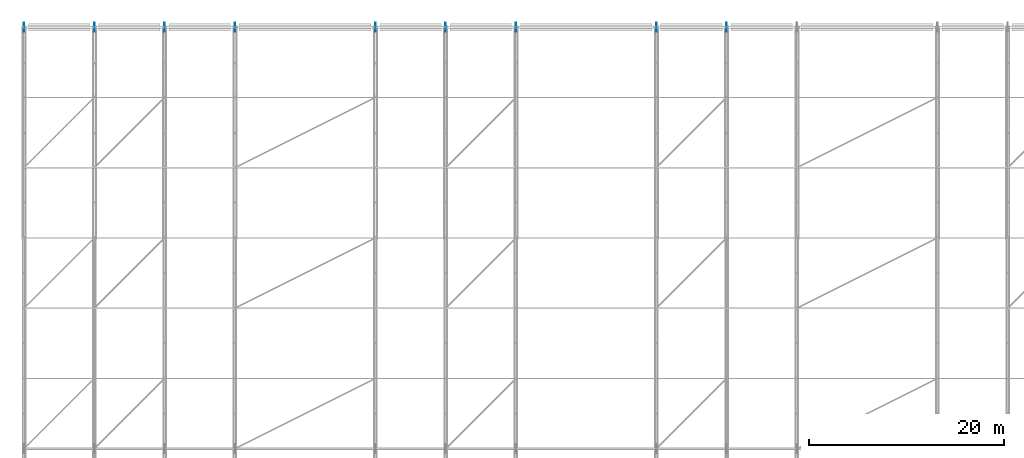
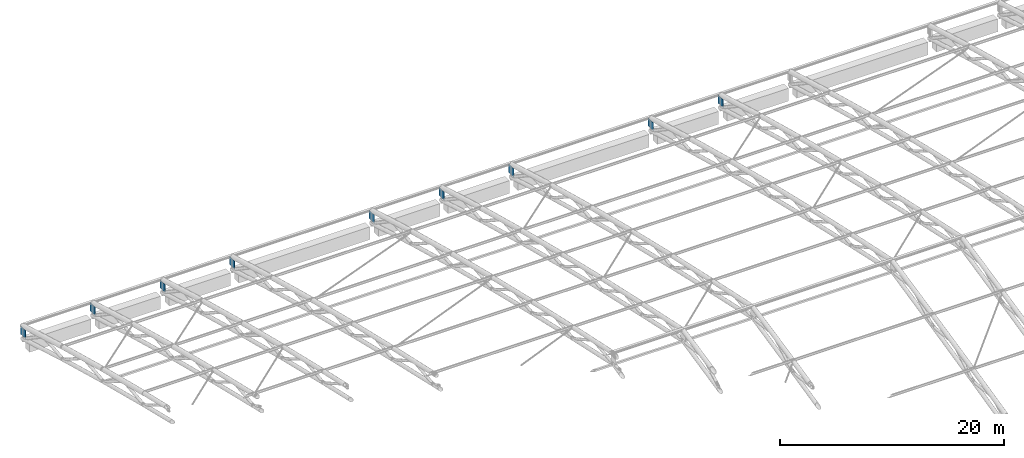
# One storey, part 119 of 193: 9 plates.
"""IFC4 building model written with IfcOpenShell, lengths in metres."""

from ifc_helpers import new_model, si_unit, direction, frame, origin, origin_2d, place, context, subcontext, project, spatial, rectangle, extrude, material, layer, layer_set, type_object, element, save


model = new_model("IFC4")

# Units and contexts
model_context = context("Model", 3, precision=1e-05, world=origin(), true_north=direction((0.0, 1.0)))
body_context = subcontext(model_context, "Body", "Model", "MODEL_VIEW")
ifc_project = project(units=[si_unit("LENGTHUNIT", "METRE"), si_unit("AREAUNIT", "SQUARE_METRE"), si_unit("VOLUMEUNIT", "CUBIC_METRE"), si_unit("PLANEANGLEUNIT", "RADIAN"), si_unit("MASSUNIT", "GRAM", prefix="KILO")], contexts=[model_context])

# Site, building, storey
site_placement = place(None, origin())
site = spatial("IfcSite", under=ifc_project, at=site_placement, CompositionType="ELEMENT")
building_placement = place(site_placement, origin())
building = spatial("IfcBuilding", under=site, at=building_placement, Name="Cendralis Lancet Convention Centre", CompositionType="ELEMENT")
storey_placement = place(building_placement, frame((0.0, 0.0, 10.199951171875)))
storey = spatial("IfcBuildingStorey", under=building, at=storey_placement, Name="L02", CompositionType="ELEMENT", Elevation=10.199951171875)

# Plates
ifc_material = material(Name="Steel S355", Category="steel")
ifc_layer_1 = layer(ifc_material, 0.031982421875, Name="Steel S355")
ifc_layer_set_1 = layer_set([ifc_layer_1], Name="Steel S355")
plate_type_1 = type_object("IfcPlateType", Name="STR-PL-GP32", PredefinedType="USERDEFINED", material=ifc_layer_set_1)
plate_placement = place(storey_placement, frame((0.0, 136.800048828125, 2.4501953125), z_axis=(0.0, 0.0, 1.0), x_axis=(0.0, 1.0, 0.0)))
element("IfcPlate", 1, at=plate_placement, inside=storey, type_object=plate_type_1, Name="Truss Gusset Plate GP-32 AT-V1-01-SPR-N", ObjectType="GUSSET PLATE", PredefinedType="USERDEFINED", context=body_context, shape_type="SweptSolid", body=[
    extrude(rectangle(XDim=0.89990234375, YDim=0.031982421875, at=origin_2d()), origin(), (0.0, 0.0, 1.0), 0.89990234375),
])
ifc_layer_2 = layer(ifc_material, 0.031982421875, Name="Steel S355")
ifc_layer_set_2 = layer_set([ifc_layer_2], Name="Steel S355")
plate_type_2 = type_object("IfcPlateType", Name="STR-PL-GP32-INT", PredefinedType="USERDEFINED", material=ifc_layer_set_2)
for number, where, z_axis, x_axis, name in (
    (2, (7.199951171875, 136.800048828125, 2.4501953125), (0.0, 0.0, 1.0), (0.0, 1.0, 0.0), "Truss Gusset Plate GP-32 AT-V1-02-SPR-N"),
    (3, (14.39990234375, 136.800048828125, 2.4501953125), (0.0, 0.0, 1.0), (0.0, 1.0, 0.0), "Truss Gusset Plate GP-32 AT-V1-03-SPR-N"),
    (4, (21.60009765625, 136.800048828125, 2.4501953125), (0.0, 0.0, 1.0), (0.0, 1.0, 0.0), "Truss Gusset Plate GP-32 AT-V1-04-SPR-N"),
    (5, (36.0, 136.800048828125, 2.4501953125), (0.0, 0.0, 1.0), (0.0, 1.0, 0.0), "Truss Gusset Plate GP-32 AT-V1-05-SPR-N"),
    (6, (43.199951171875, 136.800048828125, 2.4501953125), (0.0, 0.0, 1.0), (0.0, 1.0, 0.0), "Truss Gusset Plate GP-32 AT-V1-06-SPR-N"),
    (7, (50.39990234375, 136.800048828125, 2.4501953125), (0.0, 0.0, 1.0), (0.0, 1.0, 0.0), "Truss Gusset Plate GP-32 AT-V1-07-SPR-N"),
    (8, (64.800048828125, 136.800048828125, 2.4501953125), (0.0, 0.0, 1.0), (0.0, 1.0, 0.0), "Truss Gusset Plate GP-32 AT-V1-08-SPR-N"),
    (9, (72.0, 136.800048828125, 2.4501953125), (0.0, 0.0, 1.0), (0.0, 1.0, 0.0), "Truss Gusset Plate GP-32 AT-V1-09-SPR-N"),
):
    element("IfcPlate", number, at=place(storey_placement, frame(where, z_axis=z_axis, x_axis=x_axis)), inside=storey, type_object=plate_type_2, Name=name, ObjectType="GUSSET PLATE", PredefinedType="USERDEFINED", context=body_context, shape_type="SweptSolid", body=[
        extrude(rectangle(XDim=0.89990234375, YDim=0.031982421875, at=origin_2d()), origin(), (0.0, 0.0, 1.0), 0.89990234375),
    ])

save(model, "model.ifc")
